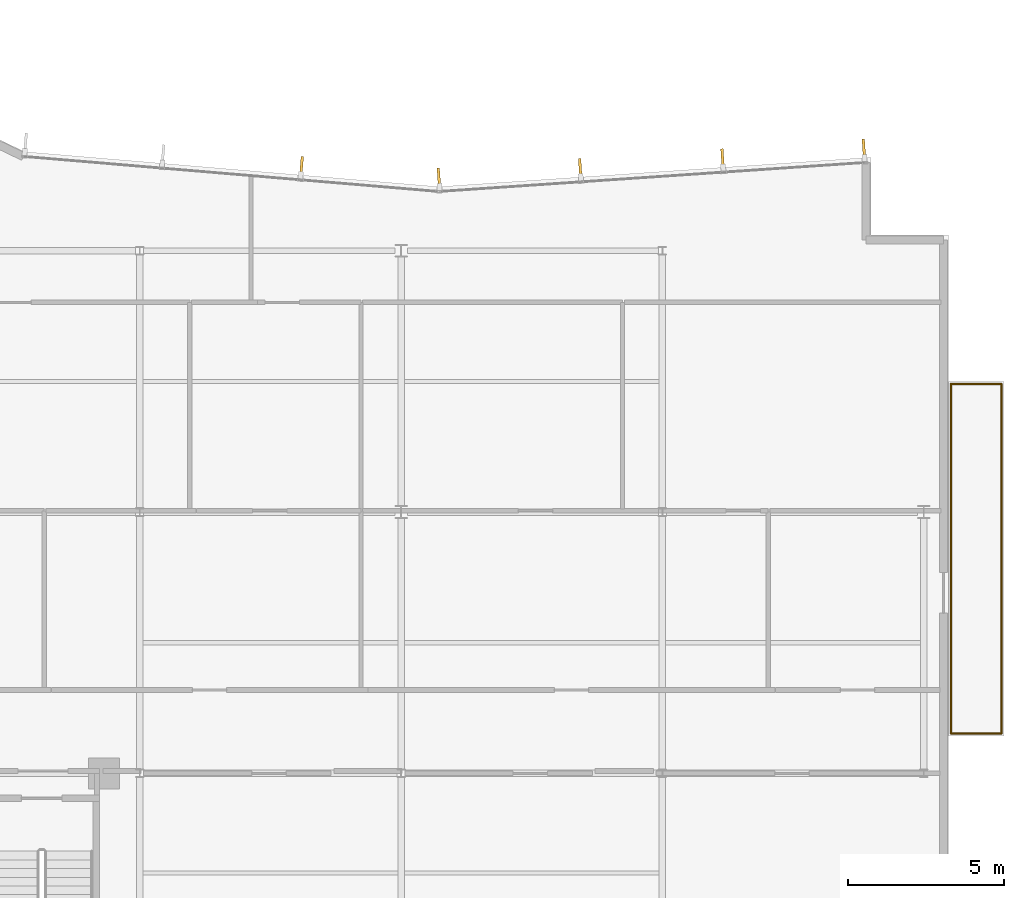
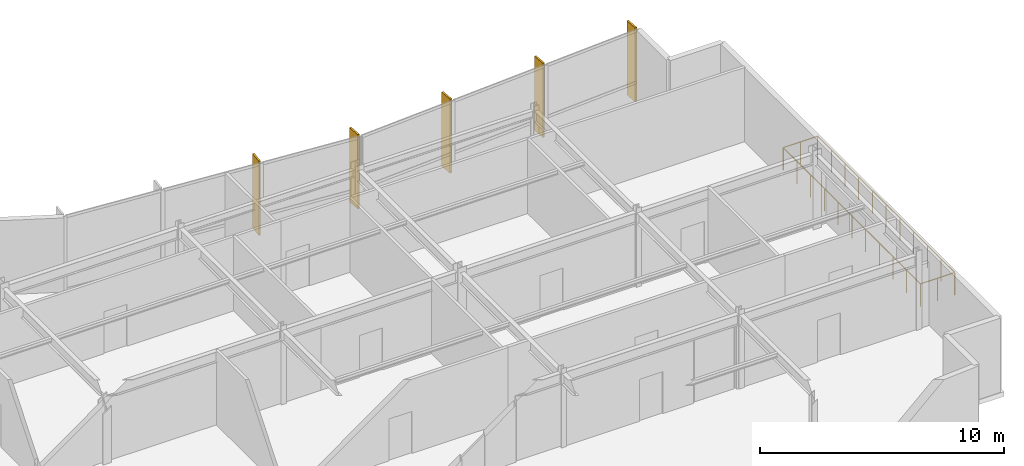
# One storey, part 13 of 14: 5 shading devices, 4 railings.
"""IFC4 building model written with IfcOpenShell, lengths in metres."""

from ifc_helpers import new_model, si_unit, direction, frame, origin, origin_2d, place, context, subcontext, project, spatial, rectangle, circle, extrude, material, layer, layer_set, type_object, element, save


model = new_model("IFC4")

# Units and contexts
model_context = context("Model", 3, precision=1e-05, world=origin(), true_north=direction((0.0, 1.0)))
body_context = subcontext(model_context, "Body", "Model", "MODEL_VIEW")
ifc_project = project(units=[si_unit("LENGTHUNIT", "METRE"), si_unit("AREAUNIT", "SQUARE_METRE"), si_unit("VOLUMEUNIT", "CUBIC_METRE"), si_unit("PLANEANGLEUNIT", "RADIAN"), si_unit("MASSUNIT", "GRAM", prefix="KILO")], contexts=[model_context])

# Site, building, storey
site_placement = place(None, origin())
site = spatial("IfcSite", under=ifc_project, at=site_placement, CompositionType="ELEMENT")
building_placement = place(site_placement, origin())
building = spatial("IfcBuilding", under=site, at=building_placement, Name="Varnakote Quay Hospital", CompositionType="ELEMENT")
storey_placement = place(building_placement, frame((0.0, 0.0, 215.800048828125)))
storey = spatial("IfcBuildingStorey", under=building, at=storey_placement, Name="L53", CompositionType="ELEMENT", Elevation=215.800048828125)

# Railings
ifc_material_1 = material(Name="Anodised aluminium 6063-T6 Bronze", Category="aluminium")
railing_type = type_object("IfcRailingType", Name="RLG-EXT-GUARD-1150", PredefinedType="GUARDRAIL", material=ifc_material_1)
railing_1_placement = place(storey_placement, frame((51.27587890625, 24.52001953125, 0.0)))
element("IfcRailing", 1, at=railing_1_placement, inside=storey, type_object=railing_type, Name="L53 Zigzag Prow Healing Terrace Safety Guard", PredefinedType="GUARDRAIL", context=body_context, shape_type="SweptSolid", body=[
    extrude(circle(Radius=0.02392578125, at=origin_2d()), frame((0.0, 0.0, 1.1259765625), z_axis=(1.0, 0.0, 0.0), x_axis=(0.0, 1.0, 0.0)), (0.0, 0.0, 1.0), 1.6240234375),
    extrude(circle(Radius=0.02099609375, at=origin_2d()), origin(), (0.0, 0.0, 1.0), 1.101806640625),
    extrude(circle(Radius=0.02099609375, at=origin_2d()), frame((0.81201171875, 0.0, 0.0)), (0.0, 0.0, 1.0), 1.101806640625),
    extrude(circle(Radius=0.02099609375, at=origin_2d()), frame((1.6240234375, 0.0, 0.0)), (0.0, 0.0, 1.0), 1.101806640625),
])
railing_2_placement = place(storey_placement, frame((52.89990234375, 24.52001953125, 0.0)))
element("IfcRailing", 2, at=railing_2_placement, inside=storey, type_object=railing_type, Name="L53 Zigzag Prow Healing Terrace Safety Guard", PredefinedType="GUARDRAIL", context=body_context, shape_type="SweptSolid", body=[
    extrude(circle(Radius=0.02392578125, at=origin_2d()), frame((0.0, 0.0, 1.1259765625), z_axis=(0.0, -1.0, 0.0), x_axis=(1.0, 0.0, 0.0)), (0.0, 0.0, 1.0), 11.239990234375),
    extrude(circle(Radius=0.02099609375, at=origin_2d()), origin(), (0.0, 0.0, 1.0), 1.101806640625),
    extrude(circle(Radius=0.02099609375, at=origin_2d()), frame((0.0, -1.1240234375, 0.0)), (0.0, 0.0, 1.0), 1.101806640625),
    extrude(circle(Radius=0.02099609375, at=origin_2d()), frame((0.0, -2.248046875, 0.0)), (0.0, 0.0, 1.0), 1.101806640625),
    extrude(circle(Radius=0.02099609375, at=origin_2d()), frame((0.0, -3.3720703125, 0.0)), (0.0, 0.0, 1.0), 1.101806640625),
    extrude(circle(Radius=0.02099609375, at=origin_2d()), frame((0.0, -4.49609375, 0.0)), (0.0, 0.0, 1.0), 1.101806640625),
    extrude(circle(Radius=0.02099609375, at=origin_2d()), frame((0.0, -5.6201171875, 0.0)), (0.0, 0.0, 1.0), 1.101806640625),
    extrude(circle(Radius=0.02099609375, at=origin_2d()), frame((0.0, -6.743896484375, 0.0)), (0.0, 0.0, 1.0), 1.101806640625),
    extrude(circle(Radius=0.02099609375, at=origin_2d()), frame((0.0, -7.867919921875, 0.0)), (0.0, 0.0, 1.0), 1.101806640625),
    extrude(circle(Radius=0.02099609375, at=origin_2d()), frame((0.0, -8.991943359375, 0.0)), (0.0, 0.0, 1.0), 1.101806640625),
    extrude(circle(Radius=0.02099609375, at=origin_2d()), frame((0.0, -10.115966796875, 0.0)), (0.0, 0.0, 1.0), 1.101806640625),
    extrude(circle(Radius=0.02099609375, at=origin_2d()), frame((0.0, -11.239990234375, 0.0)), (0.0, 0.0, 1.0), 1.101806640625),
])
railing_3_placement = place(storey_placement, frame((52.89990234375, 13.280029296875, 0.0)))
element("IfcRailing", 3, at=railing_3_placement, inside=storey, type_object=railing_type, Name="L53 Zigzag Prow Healing Terrace Safety Guard", PredefinedType="GUARDRAIL", context=body_context, shape_type="SweptSolid", body=[
    extrude(circle(Radius=0.02392578125, at=origin_2d()), frame((0.0, 0.0, 1.1259765625), z_axis=(-1.0, 0.0, 0.0), x_axis=(0.0, -1.0, 0.0)), (0.0, 0.0, 1.0), 1.6240234375),
    extrude(circle(Radius=0.02099609375, at=origin_2d()), origin(), (0.0, 0.0, 1.0), 1.101806640625),
    extrude(circle(Radius=0.02099609375, at=origin_2d()), frame((-0.81201171875, 0.0, 0.0)), (0.0, 0.0, 1.0), 1.101806640625),
    extrude(circle(Radius=0.02099609375, at=origin_2d()), frame((-1.6240234375, 0.0, 0.0)), (0.0, 0.0, 1.0), 1.101806640625),
])
railing_4_placement = place(storey_placement, frame((51.27587890625, 13.280029296875, 0.0)))
element("IfcRailing", 4, at=railing_4_placement, inside=storey, type_object=railing_type, Name="L53 Zigzag Prow Healing Terrace Safety Guard", PredefinedType="GUARDRAIL", context=body_context, shape_type="SweptSolid", body=[
    extrude(circle(Radius=0.02392578125, at=origin_2d()), frame((0.0, 0.0, 1.1259765625), z_axis=(0.0, 1.0, 0.0), x_axis=(-1.0, 0.0, 0.0)), (0.0, 0.0, 1.0), 11.239990234375),
    extrude(circle(Radius=0.02099609375, at=origin_2d()), origin(), (0.0, 0.0, 1.0), 1.101806640625),
    extrude(circle(Radius=0.02099609375, at=origin_2d()), frame((0.0, 1.1240234375, 0.0)), (0.0, 0.0, 1.0), 1.101806640625),
    extrude(circle(Radius=0.02099609375, at=origin_2d()), frame((0.0, 2.248046875, 0.0)), (0.0, 0.0, 1.0), 1.101806640625),
    extrude(circle(Radius=0.02099609375, at=origin_2d()), frame((0.0, 3.3720703125, 0.0)), (0.0, 0.0, 1.0), 1.101806640625),
    extrude(circle(Radius=0.02099609375, at=origin_2d()), frame((0.0, 4.49609375, 0.0)), (0.0, 0.0, 1.0), 1.101806640625),
    extrude(circle(Radius=0.02099609375, at=origin_2d()), frame((0.0, 5.6201171875, 0.0)), (0.0, 0.0, 1.0), 1.101806640625),
    extrude(circle(Radius=0.02099609375, at=origin_2d()), frame((0.0, 6.743896484375, 0.0)), (0.0, 0.0, 1.0), 1.101806640625),
    extrude(circle(Radius=0.02099609375, at=origin_2d()), frame((0.0, 7.867919921875, 0.0)), (0.0, 0.0, 1.0), 1.101806640625),
    extrude(circle(Radius=0.02099609375, at=origin_2d()), frame((0.0, 8.991943359375, 0.0)), (0.0, 0.0, 1.0), 1.101806640625),
    extrude(circle(Radius=0.02099609375, at=origin_2d()), frame((0.0, 10.115966796875, 0.0)), (0.0, 0.0, 1.0), 1.101806640625),
    extrude(circle(Radius=0.02099609375, at=origin_2d()), frame((0.0, 11.239990234375, 0.0)), (0.0, 0.0, 1.0), 1.101806640625),
])

# Shading devices
ifc_material_2 = material(Name="Anodised aluminium 6063-T6 Bronze", Category="aluminium")
ifc_layer = layer(ifc_material_2, 0.0849609375)
ifc_layer_set = layer_set([ifc_layer], Name="Anodised aluminium 6063-T6 Bronze")
shading_device_type = type_object("IfcShadingDeviceType", Name="SHD-BRONZE-FIN-620", PredefinedType="USERDEFINED", material=ifc_layer_set)
for number, where, z_axis, x_axis, name in (
    (5, (48.47705078125, 32.07568359375, 0.0), (0.0, 0.0, 1.0), (0.067841160875, -0.997696134548, 0.0), "L53 Anodised Bronze Vertical Shading FIN"),
    (6, (43.934326171875, 31.7666015625, 0.0), (0.0, 0.0, 1.0), (0.067841160875, -0.997696134548, 0.0), "L53 Anodised Bronze Vertical Shading FIN"),
    (7, (39.359375, 31.45556640625, 0.0), (0.0, 0.0, 1.0), (0.067841160875, -0.997696134548, 0.0), "L53 Anodised Bronze Vertical Shading FIN"),
    (8, (34.816650390625, 31.146728515625, 0.0), (0.0, 0.0, 1.0), (0.067841160875, -0.997696134548, 0.0), "L53 Anodised Bronze Vertical Shading FIN"),
    (9, (30.4013671875, 31.519775390625, 0.0), (0.0, 0.0, 1.0), (-0.084199594279, -0.996448909038, 0.0), "L53 Anodised Bronze Vertical Shading FIN"),
):
    element("IfcShadingDevice", number, at=place(storey_placement, frame(where, z_axis=z_axis, x_axis=x_axis)), inside=storey, type_object=shading_device_type, Name=name, ObjectType="FIN", PredefinedType="USERDEFINED", context=body_context, shape_type="SweptSolid", body=[
        extrude(rectangle(XDim=0.6201171875, YDim=0.0849609375, at=origin_2d()), origin(), (0.0, 0.0, 1.0), 3.7099609375),
    ])

save(model, "model.ifc")
